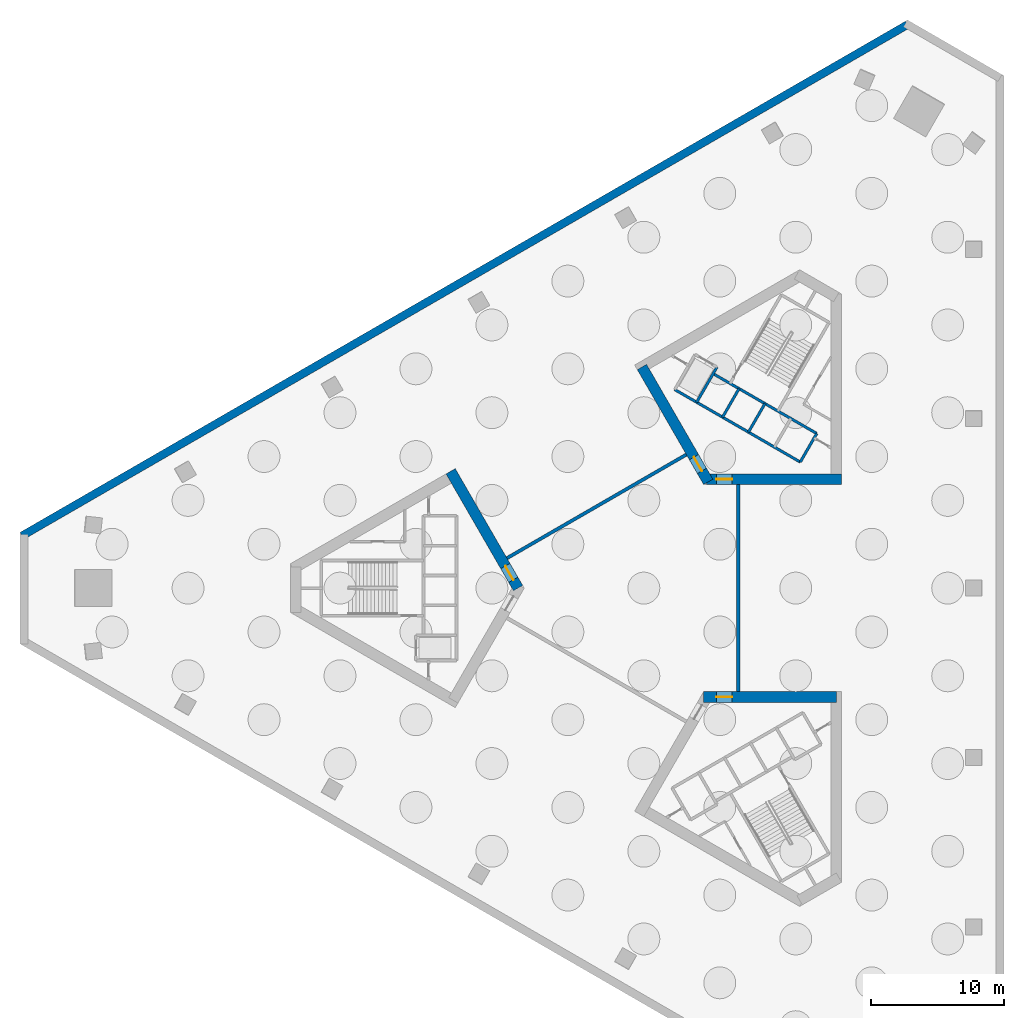
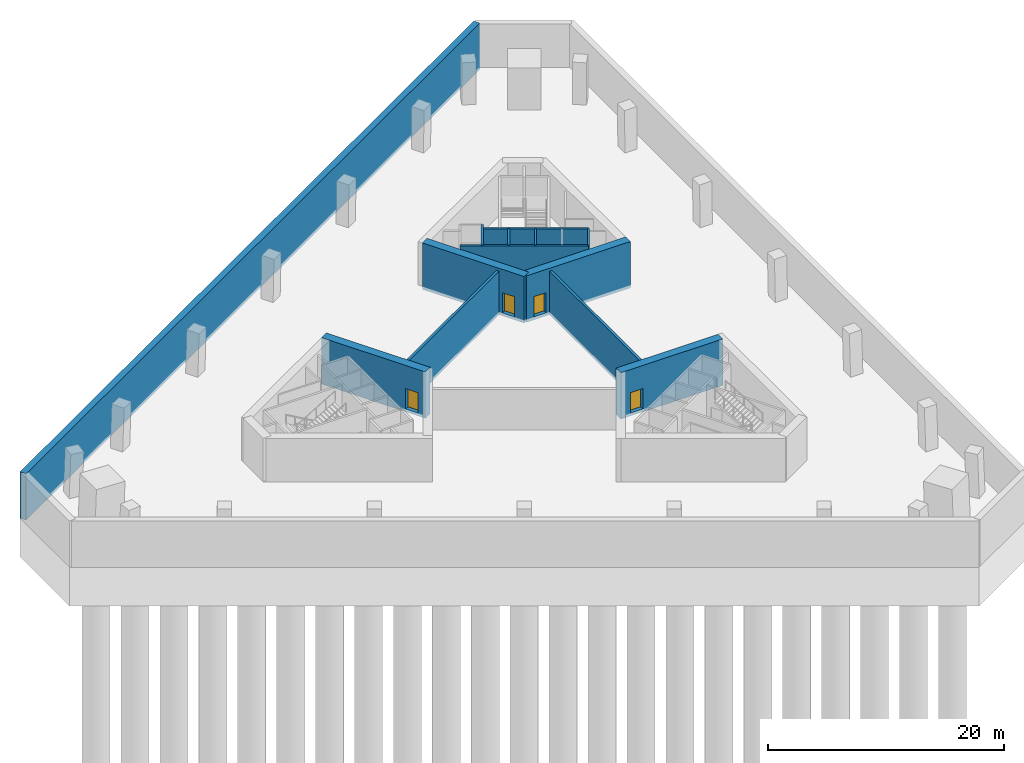
# One storey, part 3 of 7: 13 walls, 4 doors, 4 openings.
"""IFC4 building model written with IfcOpenShell, lengths in metres."""

from ifc_helpers import new_model, si_unit, direction, frame, frame_2d, origin, place, context, subcontext, project, spatial, rectangle, extrude, material, layer, layer_set, type_object, element, fill, save


model = new_model("IFC4")

# Units and contexts
model_context = context("Model", 3, precision=1e-05, world=origin(), true_north=direction((0.0, 1.0)))
body_context = subcontext(model_context, "Body", "Model", "MODEL_VIEW")
ifc_project = project(units=[si_unit("LENGTHUNIT", "METRE"), si_unit("AREAUNIT", "SQUARE_METRE"), si_unit("VOLUMEUNIT", "CUBIC_METRE"), si_unit("PLANEANGLEUNIT", "RADIAN"), si_unit("MASSUNIT", "GRAM", prefix="KILO")], contexts=[model_context])

# Site, building, storey
site_placement = place(None, origin())
site = spatial("IfcSite", under=ifc_project, at=site_placement, CompositionType="ELEMENT")
building_placement = place(site_placement, origin())
building = spatial("IfcBuilding", under=site, at=building_placement, Name="Jabali Bay Hotel Tower and Convention Centre", CompositionType="ELEMENT")
storey_placement = place(building_placement, frame((0.0, 0.0, -9.0)))
storey = spatial("IfcBuildingStorey", under=building, at=storey_placement, Name="B2", CompositionType="ELEMENT", Elevation=-9.0)

# Walls
ifc_material_1 = material(Name="Concrete C40", Category="concrete")
ifc_layer_1 = layer(ifc_material_1, 0.199951171875)
ifc_layer_set_1 = layer_set([ifc_layer_1], Name="Concrete C40")
wall_type_1 = type_object("IfcWallType", Name="Core stair wall 200", PredefinedType="SOLIDWALL", material=ifc_layer_set_1)
for number, where, z_axis, x_axis, name in (
    (1, (86.769775390625, 89.48583984375, 0.0), (0.0, 0.0, 1.0), (0.499961042966, 0.86604789447, 0.0), "Core wall 1.0 B2"),
    (2, (82.872802734375, 91.73583984375, 0.0), (0.0, 0.0, 1.0), (0.499961042966, 0.86604789447, 0.0), "Core wall 1.4 B2"),
    (3, (80.924072265625, 92.86083984375, 0.0), (0.0, 0.0, 1.0), (0.499961042966, 0.86604789447, 0.0), "Core wall 1.6 B2"),
):
    element("IfcWall", number, at=place(storey_placement, frame(where, z_axis=z_axis, x_axis=x_axis)), inside=storey, type_object=wall_type_1, Name=name, PredefinedType="SOLIDWALL", context=body_context, shape_type="SweptSolid", body=[
        extrude(rectangle(XDim=2.480224609375, YDim=0.199951171875, at=frame_2d((1.240234375, 0.0))), origin(), (0.0, 0.0, 1.0), 4.199951171875),
    ])
wall_1_placement = place(storey_placement, frame((78.9755859375, 93.98583984375, 0.0), z_axis=(0.0, 0.0, 1.0), x_axis=(0.499944174705, 0.866057632134, 0.0)))
element("IfcWall", 4, at=wall_1_placement, inside=storey, type_object=wall_type_1, Name="Core wall 1.8 B2", PredefinedType="SOLIDWALL", context=body_context, shape_type="SweptSolid", body=[
    extrude(rectangle(XDim=3.050048828125, YDim=0.199951171875, at=frame_2d((1.52490234375, 0.0))), origin(), (0.0, 0.0, 1.0), 4.199951171875),
])
wall_2_placement = place(storey_placement, frame((86.769775390625, 89.48583984375, 0.0), z_axis=(0.0, 0.0, 1.0), x_axis=(-0.86601811187, 0.500012629753, 0.0)))
element("IfcWall", 5, at=wall_2_placement, inside=storey, type_object=wall_type_1, Name="Core wall 1.10 B2", PredefinedType="SOLIDWALL", context=body_context, shape_type="SweptSolid", body=[
    extrude(rectangle(XDim=10.900146484375, YDim=0.199951171875, at=frame_2d((5.4501953125, 0.0))), origin(), (0.0, 0.0, 1.0), 4.199951171875),
])
wall_3_placement = place(storey_placement, frame((88.009765625, 91.6337890625, 0.0), z_axis=(0.0, 0.0, 1.0), x_axis=(-0.866024315419, 0.5000018851, 0.0)))
element("IfcWall", 6, at=wall_3_placement, inside=storey, type_object=wall_type_1, Name="Core wall 1.13 B2", PredefinedType="SOLIDWALL", context=body_context, shape_type="SweptSolid", body=[
    extrude(rectangle(XDim=9.0, YDim=0.199951171875, at=frame_2d((4.5, 0.0))), origin(), (0.0, 0.0, 1.0), 4.199951171875),
])

# Wall, opening, door
ifc_material_2 = material(Name="Concrete C60", Category="concrete")
ifc_layer_2 = layer(ifc_material_2, 0.800048828125)
ifc_layer_set_2 = layer_set([ifc_layer_2], Name="Concrete C60")
wall_type_2 = type_object("IfcWallType", Name="Core wall 800", PredefinedType="SHEAR", material=ifc_layer_set_2)
wall_4_placement = place(storey_placement, frame((65.5380859375, 80.0, -0.300048828125), z_axis=(0.0, 0.0, 1.0), x_axis=(-0.49999662545, 0.866027352073, 0.0)))
wall_4 = element("IfcWall", 7, at=wall_4_placement, inside=storey, type_object=wall_type_2, Name="Core wall 1.1 B2", PredefinedType="SHEAR", context=body_context, shape_type="SweptSolid", body=[
    extrude(rectangle(XDim=10.14892578125, YDim=0.800048828125, at=frame_2d((5.074462890625, 0.0))), origin(), (0.0, 0.0, 1.0), 4.800048828125),
])
opening_1_placement = place(wall_4_placement, frame((0.718994140625, 0.0, 0.300048828125)))
opening_1 = element("IfcOpeningElement", 8, at=opening_1_placement, cuts=wall_4, Name="Opening D70", PredefinedType="OPENING", context=body_context, shape_type="SweptSolid", body=[
    extrude(rectangle(XDim=1.199951171875, YDim=2.10009765625, at=frame_2d((0.60009765625, 1.050048828125))), frame((0.0, 0.41064453125, 0.0), z_axis=(0.0, -1.0, 0.0), x_axis=(1.0, 0.0, 0.0)), (0.0, 0.0, 1.0), 0.821044921875),
])
ifc_material_3 = material(Name="Fire-rated steel door", Category="steel")
door_type = type_object("IfcDoorType", Name="Corridor end fire door 1200 x 2100", OperationType="NOTDEFINED", PredefinedType="NOTDEFINED", material=ifc_material_3)
door_1_placement = place(opening_1_placement, origin())
door_1 = element("IfcDoor", 9, at=door_1_placement, inside=storey, type_object=door_type, Name="Corridor end fire door D70", OperationType="SINGLE_SWING_RIGHT", OverallHeight=2.10009765625, OverallWidth=1.199951171875, PredefinedType="NOTDEFINED", context=body_context, shape_type="SweptSolid", body=[
    extrude(rectangle(XDim=1.199951171875, YDim=2.10009765625, at=frame_2d((0.60009765625, 1.050048828125))), frame((0.0, 0.02490234375, 0.0), z_axis=(0.0, -1.0, 0.0), x_axis=(1.0, 0.0, 0.0)), (0.0, 0.0, 1.0), 0.050048828125),
])
fill(opening_1, door_1)

wall_5_placement = place(storey_placement, frame((79.73095703125, 88.1943359375, -0.300048828125), z_axis=(0.0, 0.0, 1.0), x_axis=(1.0, 0.0, 0.0)))
wall_5 = element("IfcWall", 10, at=wall_5_placement, inside=storey, type_object=wall_type_2, Name="Core wall 2.1 B2", PredefinedType="SHEAR", context=body_context, shape_type="SweptSolid", body=[
    extrude(rectangle(XDim=10.14892578125, YDim=0.800048828125, at=frame_2d((5.074462890625, 0.0))), origin(), (0.0, 0.0, 1.0), 4.800048828125),
])
opening_2_placement = place(wall_5_placement, frame((0.718994140625, 0.0, 0.300048828125)))
opening_2 = element("IfcOpeningElement", 11, at=opening_2_placement, cuts=wall_5, Name="Opening D76", PredefinedType="OPENING", context=body_context, shape_type="SweptSolid", body=[
    extrude(rectangle(XDim=1.199951171875, YDim=2.10009765625, at=frame_2d((0.60009765625, 1.050048828125))), frame((0.0, 0.41064453125, 0.0), z_axis=(0.0, -1.0, 0.0), x_axis=(1.0, 0.0, 0.0)), (0.0, 0.0, 1.0), 0.821044921875),
])
door_2_placement = place(opening_2_placement, origin())
door_2 = element("IfcDoor", 12, at=door_2_placement, inside=storey, type_object=door_type, Name="Corridor end fire door D76", OperationType="SINGLE_SWING_RIGHT", OverallHeight=2.10009765625, OverallWidth=1.199951171875, PredefinedType="NOTDEFINED", context=body_context, shape_type="SweptSolid", body=[
    extrude(rectangle(XDim=1.199951171875, YDim=2.10009765625, at=frame_2d((0.60009765625, 1.050048828125))), frame((0.0, 0.02490234375, 0.0), z_axis=(0.0, -1.0, 0.0), x_axis=(1.0, 0.0, 0.0)), (0.0, 0.0, 1.0), 0.050048828125),
])
fill(opening_2, door_2)

wall_6_placement = place(storey_placement, frame((74.8564453125, 96.63720703125, -0.300048828125), z_axis=(0.0, 0.0, 1.0), x_axis=(0.499993500917, -0.866029155999, 0.0)))
wall_6 = element("IfcWall", 13, at=wall_6_placement, inside=storey, type_object=wall_type_2, Name="Core wall 2.5 B2", PredefinedType="SHEAR", context=body_context, shape_type="SweptSolid", body=[
    extrude(rectangle(XDim=9.980224609375, YDim=0.800048828125, at=frame_2d((4.990234375, 0.0))), origin(), (0.0, 0.0, 1.0), 4.800048828125),
])
opening_3_placement = place(wall_6_placement, frame((7.830078125, 0.0, 0.300048828125)))
opening_3 = element("IfcOpeningElement", 14, at=opening_3_placement, cuts=wall_6, Name="Opening D77", PredefinedType="OPENING", context=body_context, shape_type="SweptSolid", body=[
    extrude(rectangle(XDim=1.199951171875, YDim=2.10009765625, at=frame_2d((0.60009765625, 1.050048828125))), frame((0.0, 0.41064453125, 0.0), z_axis=(0.0, -1.0, 0.0), x_axis=(1.0, 0.0, 0.0)), (0.0, 0.0, 1.0), 0.821044921875),
])
door_3_placement = place(opening_3_placement, origin())
door_3 = element("IfcDoor", 15, at=door_3_placement, inside=storey, type_object=door_type, Name="Corridor end fire door D77", OperationType="SINGLE_SWING_LEFT", OverallHeight=2.10009765625, OverallWidth=1.199951171875, PredefinedType="NOTDEFINED", context=body_context, shape_type="SweptSolid", body=[
    extrude(rectangle(XDim=1.199951171875, YDim=2.10009765625, at=frame_2d((0.60009765625, 1.050048828125))), frame((0.0, 0.02490234375, 0.0), z_axis=(0.0, -1.0, 0.0), x_axis=(1.0, 0.0, 0.0)), (0.0, 0.0, 1.0), 0.050048828125),
])
fill(opening_3, door_3)

wall_7_placement = place(storey_placement, frame((89.47998046875, 71.8056640625, -0.300048828125), z_axis=(0.0, 0.0, 1.0), x_axis=(-1.0, 0.0, 0.0)))
wall_7 = element("IfcWall", 16, at=wall_7_placement, inside=storey, type_object=wall_type_2, Name="Core wall 3.5 B2", PredefinedType="SHEAR", context=body_context, shape_type="SweptSolid", body=[
    extrude(rectangle(XDim=9.97998046875, YDim=0.800048828125, at=frame_2d((4.989990234375, 0.0))), origin(), (0.0, 0.0, 1.0), 4.800048828125),
])
opening_4_placement = place(wall_7_placement, frame((7.830078125, 0.0, 0.300048828125)))
opening_4 = element("IfcOpeningElement", 17, at=opening_4_placement, cuts=wall_7, Name="Opening D83", PredefinedType="OPENING", context=body_context, shape_type="SweptSolid", body=[
    extrude(rectangle(XDim=1.199951171875, YDim=2.10009765625, at=frame_2d((0.60009765625, 1.050048828125))), frame((0.0, 0.41064453125, 0.0), z_axis=(0.0, -1.0, 0.0), x_axis=(1.0, 0.0, 0.0)), (0.0, 0.0, 1.0), 0.821044921875),
])
door_4_placement = place(opening_4_placement, origin())
door_4 = element("IfcDoor", 18, at=door_4_placement, inside=storey, type_object=door_type, Name="Corridor end fire door D83", OperationType="SINGLE_SWING_LEFT", OverallHeight=2.10009765625, OverallWidth=1.199951171875, PredefinedType="NOTDEFINED", context=body_context, shape_type="SweptSolid", body=[
    extrude(rectangle(XDim=1.199951171875, YDim=2.10009765625, at=frame_2d((0.60009765625, 1.050048828125))), frame((0.0, 0.02490234375, 0.0), z_axis=(0.0, -1.0, 0.0), x_axis=(1.0, 0.0, 0.0)), (0.0, 0.0, 1.0), 0.050048828125),
])
fill(opening_4, door_4)

# Walls
ifc_layer_3 = layer(ifc_material_2, 0.25)
ifc_layer_set_3 = layer_set([ifc_layer_3], Name="Concrete C60")
wall_type_3 = type_object("IfcWallType", Name="Corridor wall 250", PredefinedType="SHEAR", material=ifc_layer_set_3)
for number, where, z_axis, x_axis, name in (
    (19, (82.10009765625, 72.205810546875, -0.300048828125), (0.0, 0.0, 1.0), (0.0, 1.0, 0.0), "Corridor wall 1 B2"),
    (20, (78.199951171875, 90.0458984375, -0.300048828125), (0.0, 0.0, 1.0), (-0.866026492143, -0.499998114903, 0.0), "Corridor wall 2 B2"),
):
    element("IfcWall", number, at=place(storey_placement, frame(where, z_axis=z_axis, x_axis=x_axis)), inside=storey, type_object=wall_type_3, Name=name, PredefinedType="SHEAR", context=body_context, shape_type="SweptSolid", body=[
        extrude(rectangle(XDim=15.58837890625, YDim=0.25, at=frame_2d((7.794189453125, 0.0))), origin(), (0.0, 0.0, 1.0), 4.5),
    ])
ifc_layer_4 = layer(ifc_material_1, 0.60009765625)
ifc_layer_set_4 = layer_set([ifc_layer_4], Name="Concrete C40")
wall_type_4 = type_object("IfcWallType", Name="Retaining wall 600", PredefinedType="SOLIDWALL", material=ifc_layer_set_4)
wall_8_placement = place(storey_placement, frame((94.83984375, 122.400390625, -0.300048828125), z_axis=(0.0, 0.0, 1.0), x_axis=(-0.866026157749, -0.499998694092, 0.0)))
element("IfcWall", 21, at=wall_8_placement, inside=storey, type_object=wall_type_4, Name="Retaining wall B2 3", PredefinedType="SOLIDWALL", context=body_context, shape_type="SweptSolid", body=[
    extrude(rectangle(XDim=76.937255859375, YDim=0.60009765625, at=frame_2d((38.46875, 0.0))), origin(), (0.0, 0.0, 1.0), 4.800048828125),
])

save(model, "model.ifc")
